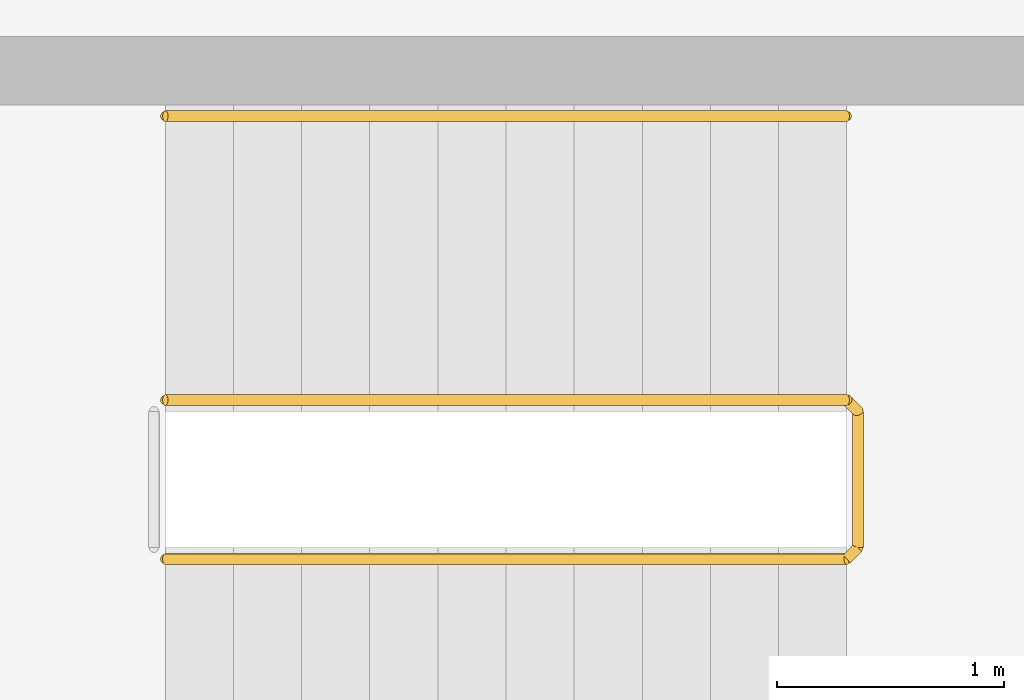
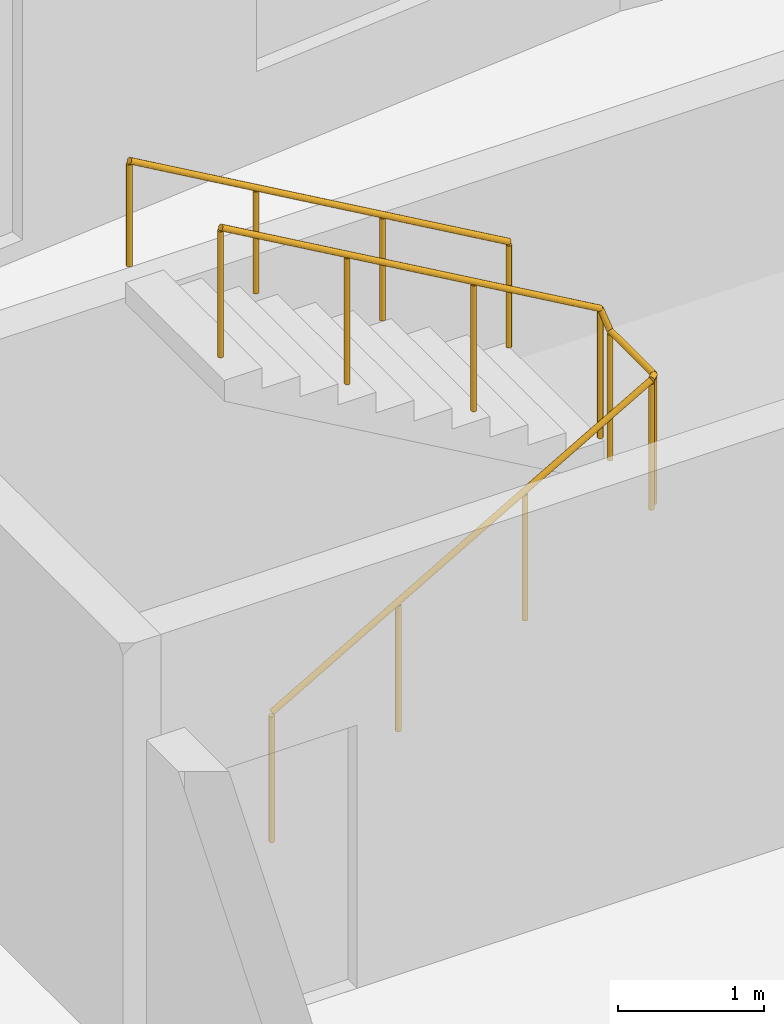
# One storey, part 10 of 10: 2 railings.
"""IFC4 building model written with IfcOpenShell, lengths in metres."""

from ifc_helpers import new_model, si_unit, direction, frame, origin, origin_2d, place, context, subcontext, project, spatial, circle, extrude, material, type_object, element, save


model = new_model("IFC4")

# Units and contexts
model_context = context("Model", 3, precision=1e-05, world=origin(), true_north=direction((0.0, 1.0)))
body_context = subcontext(model_context, "Body", "Model", "MODEL_VIEW")
ifc_project = project(units=[si_unit("LENGTHUNIT", "METRE"), si_unit("AREAUNIT", "SQUARE_METRE"), si_unit("VOLUMEUNIT", "CUBIC_METRE"), si_unit("PLANEANGLEUNIT", "RADIAN"), si_unit("MASSUNIT", "GRAM", prefix="KILO")], contexts=[model_context])

# Site, building, storey
site_placement = place(None, origin())
site = spatial("IfcSite", under=ifc_project, at=site_placement, CompositionType="ELEMENT")
building_placement = place(site_placement, origin())
building = spatial("IfcBuilding", under=site, at=building_placement, Name="Brondeck Convention Tower", CompositionType="ELEMENT")
storey_placement = place(building_placement, frame((0.0, 0.0, 151.0)))
storey = spatial("IfcBuildingStorey", under=building, at=storey_placement, Name="L36", CompositionType="ELEMENT", Elevation=151.0)

# Railings
ifc_material = material(Name="Steel S355", Category="steel")
railing_type_1 = type_object("IfcRailingType", Name="Stair guard 1100", PredefinedType="GUARDRAIL", material=ifc_material)
railing_1_placement = place(storey_placement, frame((37.85009765625, 55.449951171875, 0.172607421875)))
element("IfcRailing", 1, at=railing_1_placement, inside=storey, type_object=railing_type_1, Name="L36 ST-AE stair guard 1", PredefinedType="GUARDRAIL", context=body_context, shape_type="SweptSolid", body=[
    extrude(circle(Radius=0.02392578125, at=origin_2d()), frame((0.0, 0.0, 1.076171875), z_axis=(0.866619684472, 0.0, 0.498969260062), x_axis=(0.0, 1.0, 0.0)), (0.0, 0.0, 1.0), 3.461669921875),
    extrude(circle(Radius=0.02392578125, at=origin_2d()), frame((3.0, 0.0, 2.80322265625), z_axis=(0.705375805398, 0.708833529934, 0.0), x_axis=(-0.708833529934, 0.705375805398, 0.0)), (0.0, 0.0, 1.0), 0.070556640625),
    extrude(circle(Radius=0.02392578125, at=origin_2d()), frame((3.0498046875, 0.050048828125, 2.80322265625), z_axis=(0.0, 1.0, 0.0), x_axis=(-1.0, 0.0, 0.0)), (0.0, 0.0, 1.0), 0.60009765625),
    extrude(circle(Radius=0.02392578125, at=origin_2d()), frame((3.0498046875, 0.650146484375, 2.80322265625), z_axis=(-0.266832911964, 0.266832911964, 0.926067165051), x_axis=(-0.707106781187, -0.707106781187, 0.0)), (0.0, 0.0, 1.0), 0.186767578125),
    extrude(circle(Radius=0.02392578125, at=origin_2d()), frame((3.0, 0.699951171875, 2.97607421875), z_axis=(-0.866619684472, 0.0, 0.498969260062), x_axis=(0.0, -1.0, 0.0)), (0.0, 0.0, 1.0), 3.461669921875),
    extrude(circle(Radius=0.02099609375, at=origin_2d()), origin(), (0.0, 0.0, 1.0), 1.052001953125),
    extrude(circle(Radius=0.02099609375, at=origin_2d()), frame((1.0, 0.0, 0.57568359375)), (0.0, 0.0, 1.0), 1.052001953125),
    extrude(circle(Radius=0.02099609375, at=origin_2d()), frame((2.0, 0.0, 1.151611328125)), (0.0, 0.0, 1.0), 1.052001953125),
    extrude(circle(Radius=0.02099609375, at=origin_2d()), frame((3.0, 0.0, 1.727294921875)), (0.0, 0.0, 1.0), 1.052001953125),
    extrude(circle(Radius=0.02099609375, at=origin_2d()), frame((3.0498046875, 0.050048828125, 1.727294921875)), (0.0, 0.0, 1.0), 1.052001953125),
    extrude(circle(Radius=0.02099609375, at=origin_2d()), frame((3.0498046875, 0.650146484375, 1.727294921875)), (0.0, 0.0, 1.0), 1.052001953125),
    extrude(circle(Radius=0.02099609375, at=origin_2d()), frame((3.0, 0.699951171875, 1.900146484375)), (0.0, 0.0, 1.0), 1.052001953125),
    extrude(circle(Radius=0.02099609375, at=origin_2d()), frame((2.0, 0.699951171875, 2.475830078125)), (0.0, 0.0, 1.0), 1.052001953125),
    extrude(circle(Radius=0.02099609375, at=origin_2d()), frame((1.0, 0.699951171875, 3.0517578125)), (0.0, 0.0, 1.0), 1.052001953125),
    extrude(circle(Radius=0.02099609375, at=origin_2d()), frame((0.0, 0.699951171875, 3.62744140625)), (0.0, 0.0, 1.0), 1.052001953125),
])
railing_type_2 = type_object("IfcRailingType", Name="Stair handrail", PredefinedType="HANDRAIL", material=ifc_material)
railing_2_placement = place(storey_placement, frame((40.85009765625, 57.39990234375, 2.07275390625)))
element("IfcRailing", 2, at=railing_2_placement, inside=storey, type_object=railing_type_2, Name="L36 ST-AE stair handrail 2", PredefinedType="HANDRAIL", context=body_context, shape_type="SweptSolid", body=[
    extrude(circle(Radius=0.02392578125, at=origin_2d()), frame((0.0, 0.0, 0.8759765625), z_axis=(-0.866619684472, 0.0, 0.498969260062), x_axis=(0.0, -1.0, 0.0)), (0.0, 0.0, 1.0), 3.461669921875),
    extrude(circle(Radius=0.02099609375, at=origin_2d()), origin(), (0.0, 0.0, 1.0), 0.851806640625),
    extrude(circle(Radius=0.02099609375, at=origin_2d()), frame((-1.0, 0.0, 0.57568359375)), (0.0, 0.0, 1.0), 0.851806640625),
    extrude(circle(Radius=0.02099609375, at=origin_2d()), frame((-2.0, 0.0, 1.151611328125)), (0.0, 0.0, 1.0), 0.851806640625),
    extrude(circle(Radius=0.02099609375, at=origin_2d()), frame((-3.0, 0.0, 1.727294921875)), (0.0, 0.0, 1.0), 0.851806640625),
])

save(model, "model.ifc")
